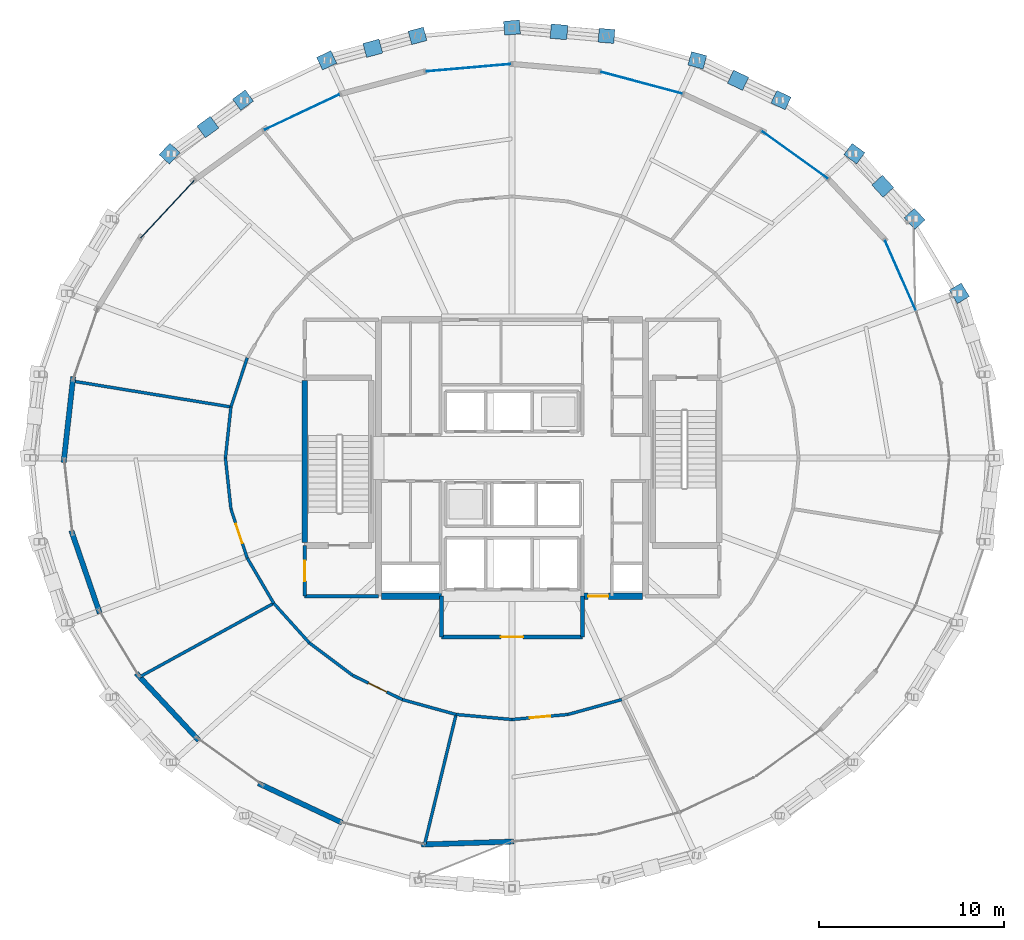
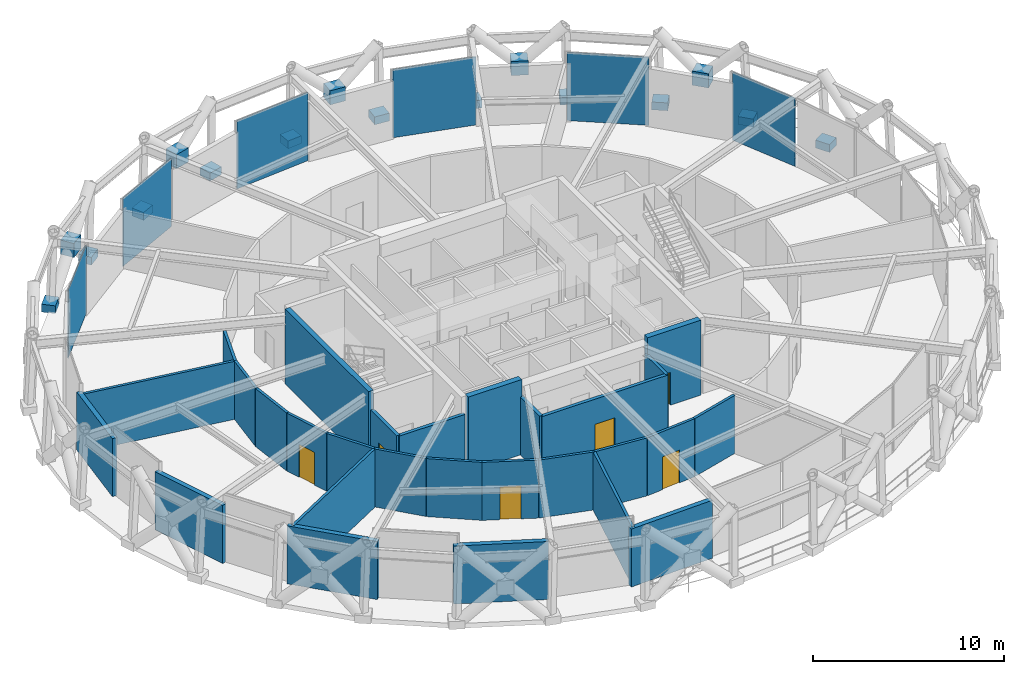
# One storey, part 24 of 29: 28 walls, 22 plates, 6 doors, 6 openings, 6 elements without a shape of their own.
"""IFC4 building model written with IfcOpenShell, lengths in metres."""

from ifc_helpers import new_model, si_unit, direction, frame, frame_2d, origin, origin_2d, place, context, subcontext, project, spatial, rectangle, extrude, material, layer, layer_set, type_object, element, fill, aggregate, save


model = new_model("IFC4")

# Units and contexts
model_context = context("Model", 3, precision=1e-05, world=origin(), true_north=direction((0.0, 1.0)))
body_context = subcontext(model_context, "Body", "Model", "MODEL_VIEW")
ifc_project = project(units=[si_unit("LENGTHUNIT", "METRE"), si_unit("AREAUNIT", "SQUARE_METRE"), si_unit("VOLUMEUNIT", "CUBIC_METRE"), si_unit("PLANEANGLEUNIT", "RADIAN"), si_unit("MASSUNIT", "GRAM", prefix="KILO")], contexts=[model_context])

# Site, building, storey
site_placement = place(None, origin())
site = spatial("IfcSite", under=ifc_project, at=site_placement, CompositionType="ELEMENT")
building_placement = place(site_placement, origin())
building = spatial("IfcBuilding", under=site, at=building_placement, Name="Veldorina Hangang Commons", CompositionType="ELEMENT")
storey_placement = place(building_placement, frame((0.0, 0.0, 203.60009765625)))
storey = spatial("IfcBuildingStorey", under=building, at=storey_placement, Name="L53", CompositionType="ELEMENT", Elevation=203.60009765625)

# Curtain wall, plate
ifc_material_1 = material(Name="Glass Acoustic Laminated", Category="glass")
ifc_layer_1 = layer(ifc_material_1, 0.179931640625)
ifc_layer_set_1 = layer_set([ifc_layer_1], Name="Glass Acoustic Laminated")
curtain_wall_type = type_object("IfcCurtainWallType", Name="CW-SYS-SKY", PredefinedType="NOTDEFINED", material=ifc_layer_set_1)
curtain_wall_1_placement = place(storey_placement, origin())
curtain_wall_1 = element("IfcCurtainWall", 1, at=curtain_wall_1_placement, inside=storey, type_object=curtain_wall_type, Name="L53 unitised curtain wall CW-L53-R1", PredefinedType="NOTDEFINED")
ifc_material_2 = material(Name="Glass Low-E Triple IGU", Category="glass")
ifc_layer_2 = layer(ifc_material_2, 0.0400390625)
ifc_layer_set_2 = layer_set([ifc_layer_2], Name="Glass Low-E Triple IGU")
plate_type_1 = type_object("IfcPlateType", Name="CW-PNL-VIS", PredefinedType="CURTAIN_PANEL", material=ifc_layer_set_2)
plate_1_placement = place(storey_placement, frame((47.244384765625, 40.342041015625, 0.014892578125), z_axis=(0.0, 0.0, 1.0), x_axis=(-0.810767641427, 0.58536811633, 0.0)))
plate_1 = element("IfcPlate", 2, at=plate_1_placement, type_object=plate_type_1, Name="CW-L53-R1 facet 1 glazed vision panel", PredefinedType="CURTAIN_PANEL", context=body_context, shape_type="SweptSolid", body=[
    extrude(rectangle(XDim=4.3330078125, YDim=0.0400390625, at=origin_2d()), origin(), (0.0, 0.0, 1.0), 4.3701171875),
])
aggregate(curtain_wall_1, [plate_1])

curtain_wall_2_placement = place(storey_placement, origin())
curtain_wall_2 = element("IfcCurtainWall", 3, at=curtain_wall_2_placement, inside=storey, type_object=curtain_wall_type, Name="L53 unitised curtain wall CW-L53-R2", PredefinedType="NOTDEFINED")
plate_2_placement = place(storey_placement, frame((38.9755859375, 44.23046875, 0.014892578125), z_axis=(0.0, 0.0, 1.0), x_axis=(-0.966187331518, 0.257841114671, 0.0)))
plate_2 = element("IfcPlate", 4, at=plate_2_placement, type_object=plate_type_1, Name="CW-L53-R2 facet 1 glazed vision panel", PredefinedType="CURTAIN_PANEL", context=body_context, shape_type="SweptSolid", body=[
    extrude(rectangle(XDim=4.508056640625, YDim=0.0400390625, at=origin_2d()), origin(), (0.0, 0.0, 1.0), 4.3701171875),
])
aggregate(curtain_wall_2, [plate_2])

curtain_wall_3_placement = place(storey_placement, origin())
curtain_wall_3 = element("IfcCurtainWall", 5, at=curtain_wall_3_placement, inside=storey, type_object=curtain_wall_type, Name="L53 unitised curtain wall CW-L53-R3", PredefinedType="NOTDEFINED")
plate_3_placement = place(storey_placement, frame((29.64453125, 45.038818359375, 0.014892578125), z_axis=(0.0, 0.0, 1.0), x_axis=(-0.996265857184, -0.086338530275, 0.0)))
plate_3 = element("IfcPlate", 6, at=plate_3_placement, type_object=plate_type_1, Name="CW-L53-R3 facet 1 glazed vision panel", PredefinedType="CURTAIN_PANEL", context=body_context, shape_type="SweptSolid", body=[
    extrude(rectangle(XDim=4.54833984375, YDim=0.0400390625, at=origin_2d()), origin(), (0.0, 0.0, 1.0), 4.3701171875),
])
aggregate(curtain_wall_3, [plate_3])

curtain_wall_4_placement = place(storey_placement, origin())
curtain_wall_4 = element("IfcCurtainWall", 7, at=curtain_wall_4_placement, inside=storey, type_object=curtain_wall_type, Name="L53 unitised curtain wall CW-L53-R4", PredefinedType="NOTDEFINED")
plate_4_placement = place(storey_placement, frame((20.67236328125, 42.644287109375, 0.014892578125), z_axis=(0.0, 0.0, 1.0), x_axis=(-0.904938490215, -0.425542393808, 0.0)))
plate_4 = element("IfcPlate", 8, at=plate_4_placement, type_object=plate_type_1, Name="CW-L53-R4 facet 1 glazed vision panel", PredefinedType="CURTAIN_PANEL", context=body_context, shape_type="SweptSolid", body=[
    extrude(rectangle(XDim=4.43310546875, YDim=0.0400390625, at=origin_2d()), origin(), (0.0, 0.0, 1.0), 4.3701171875),
])
aggregate(curtain_wall_4, [plate_4])

curtain_wall_5_placement = place(storey_placement, origin())
curtain_wall_5 = element("IfcCurtainWall", 9, at=curtain_wall_5_placement, inside=storey, type_object=curtain_wall_type, Name="L53 unitised curtain wall CW-L53-R5", PredefinedType="NOTDEFINED")
plate_5_placement = place(storey_placement, frame((13.4248046875, 37.41162109375, 0.014892578125), z_axis=(0.0, 0.0, 1.0), x_axis=(-0.682113232419, -0.731246564545, 0.0)))
plate_5 = element("IfcPlate", 10, at=plate_5_placement, type_object=plate_type_1, Name="CW-L53-R5 facet 1 glazed vision panel", PredefinedType="CURTAIN_PANEL", context=body_context, shape_type="SweptSolid", body=[
    extrude(rectangle(XDim=4.22216796875, YDim=0.0400390625, at=origin_2d()), origin(), (0.0, 0.0, 1.0), 4.3701171875),
])
aggregate(curtain_wall_5, [plate_5])

curtain_wall_6_placement = place(storey_placement, origin())
curtain_wall_6 = element("IfcCurtainWall", 11, at=curtain_wall_6_placement, inside=storey, type_object=curtain_wall_type, Name="L53 unitised curtain wall CW-L53-R12", PredefinedType="NOTDEFINED")
plate_6_placement = place(storey_placement, frame((52.93359375, 33.8583984375, 0.014892578125), z_axis=(0.0, 0.0, 1.0), x_axis=(-0.403465449522, 0.914994880336, 0.0)))
plate_6 = element("IfcPlate", 12, at=plate_6_placement, type_object=plate_type_1, Name="CW-L53-R12 facet 6 glazed vision panel", PredefinedType="CURTAIN_PANEL", context=body_context, shape_type="SweptSolid", body=[
    extrude(rectangle(XDim=4.068115234375, YDim=0.0400390625, at=origin_2d()), origin(), (0.0, 0.0, 1.0), 4.3701171875),
])
aggregate(curtain_wall_6, [plate_6])

# Plates
ifc_material_3 = material(Name="Steel SM460-TMC", Category="steel")
ifc_layer_3 = layer(ifc_material_3, 0.035888671875)
ifc_layer_set_3 = layer_set([ifc_layer_3], Name="Steel SM460-TMC")
plate_type_2 = type_object("IfcPlateType", Name="PL-STAR-36", PredefinedType="USERDEFINED", material=ifc_layer_set_3)
for number, where, z_axis, x_axis, name in (
    (13, (56.118896484375, 32.87939453125, -0.090087890625), (0.0, 0.0, 1.0), (-0.515382122411, 0.85696048211, 0.0), "L53 diagrid star-node gusset plate 02"),
    (14, (53.706298828125, 36.890869140625, -0.090087890625), (0.0, 0.0, 1.0), (-0.678390516628, 0.734701508743, 0.0), "L53 diagrid star-node gusset plate 03"),
):
    element("IfcPlate", number, at=place(storey_placement, frame(where, z_axis=z_axis, x_axis=x_axis)), inside=storey, type_object=plate_type_2, Name=name, ObjectType="GUSSET PLATE", PredefinedType="USERDEFINED", context=body_context, shape_type="SweptSolid", body=[
        extrude(rectangle(XDim=0.85009765625, YDim=0.75, at=origin_2d()), origin(), (0.0, 0.0, 1.0), 0.5),
    ])
plate_7_placement = place(storey_placement, frame((51.988037109375, 38.64892578125, 1.955810546875), z_axis=(0.0, 0.0, 1.0), x_axis=(-0.678390516628, 0.734701508743, 0.0)))
element("IfcPlate", 15, at=plate_7_placement, inside=storey, type_object=plate_type_2, Name="L53 diagrid X-crossing star-node gusset plate 03", ObjectType="GUSSET PLATE", PredefinedType="USERDEFINED", context=body_context, shape_type="SweptSolid", body=[
    extrude(rectangle(XDim=0.89990234375, YDim=0.780029296875, at=origin_2d()), origin(), (0.0, 0.0, 1.0), 0.89990234375),
])
for number, where, z_axis, x_axis, name in (
    (16, (50.459716796875, 40.406982421875, -0.090087890625), (0.0, 0.0, 1.0), (-0.807907608691, 0.58930916828, 0.0), "L53 diagrid star-node gusset plate 04"),
    (17, (46.50390625, 43.29248046875, -0.090087890625), (0.0, 0.0, 1.0), (-0.903252926582, 0.429108553423, 0.0), "L53 diagrid star-node gusset plate 05"),
):
    element("IfcPlate", number, at=place(storey_placement, frame(where, z_axis=z_axis, x_axis=x_axis)), inside=storey, type_object=plate_type_2, Name=name, ObjectType="GUSSET PLATE", PredefinedType="USERDEFINED", context=body_context, shape_type="SweptSolid", body=[
        extrude(rectangle(XDim=0.85009765625, YDim=0.75, at=origin_2d()), origin(), (0.0, 0.0, 1.0), 0.5),
    ])
plate_8_placement = place(storey_placement, frame((44.1884765625, 44.363525390625, 1.959716796875), z_axis=(0.0, 0.0, 1.0), x_axis=(-0.903252926582, 0.429108553423, 0.0)))
element("IfcPlate", 18, at=plate_8_placement, inside=storey, type_object=plate_type_2, Name="L53 diagrid X-crossing star-node gusset plate 05", ObjectType="GUSSET PLATE", PredefinedType="USERDEFINED", context=body_context, shape_type="SweptSolid", body=[
    extrude(rectangle(XDim=0.89990234375, YDim=0.780029296875, at=origin_2d()), origin(), (0.0, 0.0, 1.0), 0.89990234375),
])
for number, where, z_axis, x_axis, name in (
    (19, (41.990478515625, 45.436767578125, -0.090087890625), (0.0, 0.0, 1.0), (-0.965522626361, 0.260319146404, 0.0), "L53 diagrid star-node gusset plate 06"),
    (20, (37.093017578125, 46.757080078125, -0.090087890625), (0.0, 0.0, 1.0), (-0.996191655175, 0.087190516449, 0.0), "L53 diagrid star-node gusset plate 07"),
):
    element("IfcPlate", number, at=place(storey_placement, frame(where, z_axis=z_axis, x_axis=x_axis)), inside=storey, type_object=plate_type_2, Name=name, ObjectType="GUSSET PLATE", PredefinedType="USERDEFINED", context=body_context, shape_type="SweptSolid", body=[
        extrude(rectangle(XDim=0.85009765625, YDim=0.75, at=origin_2d()), origin(), (0.0, 0.0, 1.0), 0.5),
    ])
plate_9_placement = place(storey_placement, frame((34.533935546875, 46.97509765625, 1.961669921875), z_axis=(0.0, 0.0, 1.0), x_axis=(-0.996191655175, 0.087190516449, 0.0)))
element("IfcPlate", 21, at=plate_9_placement, inside=storey, type_object=plate_type_2, Name="L53 diagrid X-crossing star-node gusset plate 07", ObjectType="GUSSET PLATE", PredefinedType="USERDEFINED", context=body_context, shape_type="SweptSolid", body=[
    extrude(rectangle(XDim=0.89990234375, YDim=0.780029296875, at=origin_2d()), origin(), (0.0, 0.0, 1.0), 0.89990234375),
])
for number, where, z_axis, x_axis, name in (
    (22, (32.0, 47.202880859375, -0.090087890625), (0.0, 0.0, 1.0), (-0.996191655175, -0.087190516449, 0.0), "L53 diagrid star-node gusset plate 08"),
    (23, (26.906982421875, 46.757080078125, -0.090087890625), (0.0, 0.0, 1.0), (-0.965522626361, -0.260319146404, 0.0), "L53 diagrid star-node gusset plate 09"),
):
    element("IfcPlate", number, at=place(storey_placement, frame(where, z_axis=z_axis, x_axis=x_axis)), inside=storey, type_object=plate_type_2, Name=name, ObjectType="GUSSET PLATE", PredefinedType="USERDEFINED", context=body_context, shape_type="SweptSolid", body=[
        extrude(rectangle(XDim=0.85009765625, YDim=0.75, at=origin_2d()), origin(), (0.0, 0.0, 1.0), 0.5),
    ])
plate_10_placement = place(storey_placement, frame((24.496337890625, 46.08837890625, 1.9609375), z_axis=(0.0, 0.0, 1.0), x_axis=(-0.965522626361, -0.260319146404, 0.0)))
element("IfcPlate", 24, at=plate_10_placement, inside=storey, type_object=plate_type_2, Name="L53 diagrid X-crossing star-node gusset plate 09", ObjectType="GUSSET PLATE", PredefinedType="USERDEFINED", context=body_context, shape_type="SweptSolid", body=[
    extrude(rectangle(XDim=0.89990234375, YDim=0.780029296875, at=origin_2d()), origin(), (0.0, 0.0, 1.0), 0.89990234375),
])
for number, where, z_axis, x_axis, name in (
    (25, (22.009521484375, 45.436767578125, -0.090087890625), (0.0, 0.0, 1.0), (-0.903252926582, -0.429108553423, 0.0), "L53 diagrid star-node gusset plate 10"),
    (26, (17.49609375, 43.29248046875, -0.090087890625), (0.0, 0.0, 1.0), (-0.807907608691, -0.58930916828, 0.0), "L53 diagrid star-node gusset plate 11"),
):
    element("IfcPlate", number, at=place(storey_placement, frame(where, z_axis=z_axis, x_axis=x_axis)), inside=storey, type_object=plate_type_2, Name=name, ObjectType="GUSSET PLATE", PredefinedType="USERDEFINED", context=body_context, shape_type="SweptSolid", body=[
        extrude(rectangle(XDim=0.85009765625, YDim=0.75, at=origin_2d()), origin(), (0.0, 0.0, 1.0), 0.5),
    ])
plate_11_placement = place(storey_placement, frame((15.602783203125, 41.8408203125, 1.957763671875), z_axis=(0.0, 0.0, 1.0), x_axis=(-0.807907608691, -0.58930916828, 0.0)))
element("IfcPlate", 27, at=plate_11_placement, inside=storey, type_object=plate_type_2, Name="L53 diagrid X-crossing star-node gusset plate 11", ObjectType="GUSSET PLATE", PredefinedType="USERDEFINED", context=body_context, shape_type="SweptSolid", body=[
    extrude(rectangle(XDim=0.89990234375, YDim=0.780029296875, at=origin_2d()), origin(), (0.0, 0.0, 1.0), 0.89990234375),
])
plate_12_placement = place(storey_placement, frame((13.540283203125, 40.406982421875, -0.090087890625), z_axis=(0.0, 0.0, 1.0), x_axis=(-0.678390516628, -0.734701508743, 0.0)))
element("IfcPlate", 28, at=plate_12_placement, inside=storey, type_object=plate_type_2, Name="L53 diagrid star-node gusset plate 12", ObjectType="GUSSET PLATE", PredefinedType="USERDEFINED", context=body_context, shape_type="SweptSolid", body=[
    extrude(rectangle(XDim=0.85009765625, YDim=0.75, at=origin_2d()), origin(), (0.0, 0.0, 1.0), 0.5),
])

# Wall
ifc_material_4 = material(Name="Concrete C60/75", Category="concrete")
ifc_layer_4 = layer(ifc_material_4, 0.340087890625)
ifc_layer_set_4 = layer_set([ifc_layer_4], Name="Concrete C60/75")
wall_type_1 = type_object("IfcWallType", Name="CW-RC340-C60", PredefinedType="SHEAR", material=ifc_layer_set_4)
wall_1_placement = place(storey_placement, frame((24.969970703125, 16.550048828125, 0.0), z_axis=(0.0, 0.0, 1.0), x_axis=(1.0, 0.0, 0.0)))
element("IfcWall", 29, at=wall_1_placement, inside=storey, type_object=wall_type_1, Name="L53 south-west core shear wall", PredefinedType="SHEAR", context=body_context, shape_type="SweptSolid", body=[
    extrude(rectangle(XDim=3.22998046875, YDim=0.340087890625, at=frame_2d((1.614990234375, 0.0))), origin(), (0.0, 0.0, 1.0), 4.7998046875),
])

# Wall, opening, door
wall_2_placement = place(storey_placement, frame((35.800048828125, 16.550048828125, 0.0), z_axis=(0.0, 0.0, 1.0), x_axis=(1.0, 0.0, 0.0)))
wall_2 = element("IfcWall", 30, at=wall_2_placement, inside=storey, type_object=wall_type_1, Name="L53 south-east core shear wall", PredefinedType="SHEAR", context=body_context, shape_type="SweptSolid", body=[
    extrude(rectangle(XDim=3.22998046875, YDim=0.340087890625, at=frame_2d((1.614990234375, 0.0))), origin(), (0.0, 0.0, 1.0), 4.7998046875),
])
opening_1_placement = place(wall_2_placement, frame((0.300048828125, 0.0, 0.0)))
opening_1 = element("IfcOpeningElement", 31, at=opening_1_placement, cuts=wall_2, Name="Opening D-08", PredefinedType="OPENING", context=body_context, shape_type="SweptSolid", body=[
    extrude(rectangle(XDim=1.10009765625, YDim=2.10009765625, at=frame_2d((0.550048828125, 1.050048828125))), frame((0.0, 0.18017578125, 0.0), z_axis=(0.0, -1.0, 0.0), x_axis=(1.0, 0.0, 0.0)), (0.0, 0.0, 1.0), 0.360107421875),
])
ifc_material_5 = material(Name="Steel Fire-Rated Smoke Seal", Category="steel")
door_type_1 = type_object("IfcDoorType", Name="DR-FIRE-1100", OperationType="SINGLE_SWING_RIGHT", PredefinedType="DOOR", material=ifc_material_5)
door_1_placement = place(opening_1_placement, origin())
door_1 = element("IfcDoor", 32, at=door_1_placement, inside=storey, type_object=door_type_1, Name="L53 central lift lobby south corridor door", OperationType="SINGLE_SWING_RIGHT", OverallHeight=2.10009765625, OverallWidth=1.10009765625, PredefinedType="DOOR", context=body_context, shape_type="SweptSolid", body=[
    extrude(rectangle(XDim=1.10009765625, YDim=2.10009765625, at=frame_2d((0.550048828125, 1.050048828125))), frame((0.0, 0.02490234375, 0.0), z_axis=(0.0, -1.0, 0.0), x_axis=(1.0, 0.0, 0.0)), (0.0, 0.0, 1.0), 0.050048828125),
])
fill(opening_1, door_1)

# Walls
ifc_material_6 = material(Name="Stone Roman Travertine", Category="masonry")
ifc_layer_5 = layer(ifc_material_6, 0.280029296875)
ifc_layer_set_5 = layer_set([ifc_layer_5], Name="Stone Roman Travertine")
wall_type_2 = type_object("IfcWallType", Name="EW-TRAV-280", PredefinedType="STANDARD", material=ifc_layer_set_5)
wall_3_placement = place(storey_placement, frame((8.34521484375, 28.388916015625, 0.0), z_axis=(0.0, 0.0, 1.0), x_axis=(-0.111236598317, -0.993793952082, 0.0)))
element("IfcWall", 33, at=wall_3_placement, inside=storey, type_object=wall_type_2, Name="L53 travertine facade wall 15", PredefinedType="STANDARD", context=body_context, shape_type="SweptSolid", body=[
    extrude(rectangle(XDim=4.659423828125, YDim=0.280029296875, at=frame_2d((2.32958984375, 0.0))), origin(), (0.0, 0.0, 1.0), 3.7099609375),
])
wall_4_placement = place(storey_placement, frame((8.23779296875, 20.08837890625, 0.0), z_axis=(0.0, 0.0, 1.0), x_axis=(0.325950789295, -0.945386737244, 0.0)))
element("IfcWall", 34, at=wall_4_placement, inside=storey, type_object=wall_type_2, Name="L53 travertine facade wall 17", PredefinedType="STANDARD", context=body_context, shape_type="SweptSolid", body=[
    extrude(rectangle(XDim=4.715087890625, YDim=0.280029296875, at=frame_2d((2.357421875, 0.0))), origin(), (0.0, 0.0, 1.0), 3.7099609375),
])
wall_5_placement = place(storey_placement, frame((11.7421875, 12.39208984375, 0.0), z_axis=(0.0, 0.0, 1.0), x_axis=(0.682128325962, -0.731232484864, 0.0)))
element("IfcWall", 35, at=wall_5_placement, inside=storey, type_object=wall_type_2, Name="L53 travertine facade wall 19", PredefinedType="STANDARD", context=body_context, shape_type="SweptSolid", body=[
    extrude(rectangle(XDim=4.947021484375, YDim=0.280029296875, at=frame_2d((2.4736328125, 0.0))), origin(), (0.0, 0.0, 1.0), 3.7099609375),
])
wall_6_placement = place(storey_placement, frame((18.31982421875, 6.4619140625, 0.0), z_axis=(0.0, 0.0, 1.0), x_axis=(0.904923833453, -0.425573560796, 0.0)))
element("IfcWall", 36, at=wall_6_placement, inside=storey, type_object=wall_type_2, Name="L53 travertine facade wall 21", PredefinedType="STANDARD", context=body_context, shape_type="SweptSolid", body=[
    extrude(rectangle(XDim=4.99853515625, YDim=0.280029296875, at=frame_2d((2.499267578125, 0.0))), origin(), (0.0, 0.0, 1.0), 3.7099609375),
])
wall_7_placement = place(storey_placement, frame((27.10546875, 3.1591796875, 0.0), z_axis=(0.0, 0.0, 1.0), x_axis=(0.999479910851, 0.03224760153, 0.0)))
element("IfcWall", 37, at=wall_7_placement, inside=storey, type_object=wall_type_2, Name="L53 travertine facade wall 23", PredefinedType="STANDARD", context=body_context, shape_type="SweptSolid", body=[
    extrude(rectangle(XDim=4.9892578125, YDim=0.280029296875, at=frame_2d((2.49462890625, 0.0))), origin(), (0.0, 0.0, 1.0), 3.7099609375),
])
ifc_material_7 = material(Name="Concrete C50/60", Category="concrete")
ifc_layer_6 = layer(ifc_material_7, 0.300048828125)
ifc_layer_set_6 = layer_set([ifc_layer_6], Name="Concrete C50/60")
wall_type_3 = type_object("IfcWallType", Name="SW-STAIR-300", PredefinedType="SHEAR", material=ifc_layer_set_6)
wall_8_placement = place(storey_placement, frame((20.820068359375, 19.429931640625, 0.0), z_axis=(0.0, 0.0, 1.0), x_axis=(0.0, 1.0, 0.0)))
element("IfcWall", 38, at=wall_8_placement, inside=storey, type_object=wall_type_3, Name="L53 ST1 outer stair shear wall", PredefinedType="SHEAR", context=body_context, shape_type="SweptSolid", body=[
    extrude(rectangle(XDim=8.739990234375, YDim=0.300048828125, at=frame_2d((4.3701171875, 0.0))), origin(), (0.0, 0.0, 1.0), 4.7998046875),
])
ifc_material_8 = material(Name="Gypsum Fire-Rated Twin Stud Wall", Category="gypsum")
ifc_layer_7 = layer(ifc_material_8, 0.159912109375)
ifc_layer_set_7 = layer_set([ifc_layer_7], Name="Gypsum Fire-Rated Twin Stud Wall")
wall_type_4 = type_object("IfcWallType", Name="WL-FIRE-160", PredefinedType="SOLIDWALL", material=ifc_layer_set_7)
wall_9_placement = place(storey_placement, frame((17.72607421875, 29.395751953125, 0.0), z_axis=(0.0, 0.0, 1.0), x_axis=(-0.315413058649, -0.948954478589, 0.0)))
element("IfcWall", 39, at=wall_9_placement, inside=storey, type_object=wall_type_4, Name="L53 Sky gallery wall 14 067", PredefinedType="SOLIDWALL", context=body_context, shape_type="SweptSolid", body=[
    extrude(rectangle(XDim=2.787353515625, YDim=0.159912109375, at=frame_2d((1.3935546875, 0.0))), origin(), (0.0, 0.0, 1.0), 3.7099609375),
])
for number, where, z_axis, x_axis, name in (
    (40, (16.846923828125, 26.750732421875, 0.0), (0.0, 0.0, 1.0), (-0.107302680622, -0.994226400138, 0.0), "L53 Sky gallery wall 15 068"),
    (41, (16.550048828125, 24.0, 0.0), (0.0, 0.0, 1.0), (0.107302680622, -0.994226400138, 0.0), "L53 Sky gallery wall 16 069"),
):
    element("IfcWall", number, at=place(storey_placement, frame(where, z_axis=z_axis, x_axis=x_axis)), inside=storey, type_object=wall_type_4, Name=name, PredefinedType="SOLIDWALL", context=body_context, shape_type="SweptSolid", body=[
        extrude(rectangle(XDim=2.7666015625, YDim=0.159912109375, at=frame_2d((1.38330078125, 0.0))), origin(), (0.0, 0.0, 1.0), 3.7099609375),
    ])

# Wall, opening, door
wall_10_placement = place(storey_placement, frame((16.846923828125, 21.249267578125, 0.0), z_axis=(0.0, 0.0, 1.0), x_axis=(0.315413058649, -0.948954478589, 0.0)))
wall_10 = element("IfcWall", 42, at=wall_10_placement, inside=storey, type_object=wall_type_4, Name="L53 Sky gallery wall 17 070", PredefinedType="SOLIDWALL", context=body_context, shape_type="SweptSolid", body=[
    extrude(rectangle(XDim=2.787353515625, YDim=0.159912109375, at=frame_2d((1.3935546875, 0.0))), origin(), (0.0, 0.0, 1.0), 3.7099609375),
])
opening_2_placement = place(wall_10_placement, frame((0.84375, 0.0, 0.0)))
opening_2 = element("IfcOpeningElement", 43, at=opening_2_placement, cuts=wall_10, Name="Opening D-08", PredefinedType="OPENING", context=body_context, shape_type="SweptSolid", body=[
    extrude(rectangle(XDim=1.10009765625, YDim=2.10009765625, at=frame_2d((0.550048828125, 1.050048828125))), frame((0.0, 0.08984375, 0.0), z_axis=(0.0, -1.0, 0.0), x_axis=(1.0, 0.0, 0.0)), (0.0, 0.0, 1.0), 0.179931640625),
])
door_2_placement = place(opening_2_placement, origin())
door_2 = element("IfcDoor", 44, at=door_2_placement, inside=storey, type_object=door_type_1, Name="L53 Music and Media Practice Studio entrance door 030", OperationType="SINGLE_SWING_RIGHT", OverallHeight=2.10009765625, OverallWidth=1.10009765625, PredefinedType="DOOR", context=body_context, shape_type="SweptSolid", body=[
    extrude(rectangle(XDim=1.10009765625, YDim=2.10009765625, at=frame_2d((0.550048828125, 1.050048828125))), frame((0.0, 0.02490234375, 0.0), z_axis=(0.0, -1.0, 0.0), x_axis=(1.0, 0.0, 0.0)), (0.0, 0.0, 1.0), 0.050048828125),
])
fill(opening_2, door_2)

# Walls
wall_11_placement = place(storey_placement, frame((17.72607421875, 18.604248046875, 0.0), z_axis=(0.0, 0.0, 1.0), x_axis=(0.505380130961, -0.862896820732, 0.0)))
element("IfcWall", 45, at=wall_11_placement, inside=storey, type_object=wall_type_4, Name="L53 Sky gallery wall 18 071", PredefinedType="SOLIDWALL", context=body_context, shape_type="SweptSolid", body=[
    extrude(rectangle(XDim=2.824951171875, YDim=0.159912109375, at=frame_2d((1.41259765625, 0.0))), origin(), (0.0, 0.0, 1.0), 3.7099609375),
])
wall_12_placement = place(storey_placement, frame((19.15380859375, 16.16650390625, 0.0), z_axis=(0.0, 0.0, 1.0), x_axis=(0.668645478294, -0.743581350194, 0.0)))
element("IfcWall", 46, at=wall_12_placement, inside=storey, type_object=wall_type_4, Name="L53 Sky gallery wall 19 072", PredefinedType="SOLIDWALL", context=body_context, shape_type="SweptSolid", body=[
    extrude(rectangle(XDim=2.87353515625, YDim=0.159912109375, at=frame_2d((1.436767578125, 0.0))), origin(), (0.0, 0.0, 1.0), 3.7099609375),
])
wall_13_placement = place(storey_placement, frame((21.0751953125, 14.02978515625, 0.0), z_axis=(0.0, 0.0, 1.0), x_axis=(0.800420462314, -0.599438973966, 0.0)))
element("IfcWall", 47, at=wall_13_placement, inside=storey, type_object=wall_type_4, Name="L53 Sky gallery wall 20 073", PredefinedType="SOLIDWALL", context=body_context, shape_type="SweptSolid", body=[
    extrude(rectangle(XDim=2.925048828125, YDim=0.159912109375, at=frame_2d((1.46240234375, 0.0))), origin(), (0.0, 0.0, 1.0), 3.7099609375),
])

# Wall, opening, door
wall_14_placement = place(storey_placement, frame((23.41650390625, 12.2763671875, 0.0), z_axis=(0.0, 0.0, 1.0), x_axis=(0.898755022802, -0.438451147778, 0.0)))
wall_14 = element("IfcWall", 48, at=wall_14_placement, inside=storey, type_object=wall_type_4, Name="L53 Sky gallery wall 21 074", PredefinedType="SOLIDWALL", context=body_context, shape_type="SweptSolid", body=[
    extrude(rectangle(XDim=2.9716796875, YDim=0.159912109375, at=frame_2d((1.48583984375, 0.0))), origin(), (0.0, 0.0, 1.0), 3.7099609375),
])
opening_3_placement = place(wall_14_placement, frame((0.93603515625, 0.0, 0.0)))
opening_3 = element("IfcOpeningElement", 49, at=opening_3_placement, cuts=wall_14, Name="Opening D-08", PredefinedType="OPENING", context=body_context, shape_type="SweptSolid", body=[
    extrude(rectangle(XDim=1.10009765625, YDim=2.10009765625, at=frame_2d((0.550048828125, 1.050048828125))), frame((0.0, 0.08984375, 0.0), z_axis=(0.0, -1.0, 0.0), x_axis=(1.0, 0.0, 0.0)), (0.0, 0.0, 1.0), 0.179931640625),
])
door_3_placement = place(opening_3_placement, origin())
door_3 = element("IfcDoor", 50, at=door_3_placement, inside=storey, type_object=door_type_1, Name="L53 Co-Working Innovation Workspace entrance door 031", OperationType="SINGLE_SWING_LEFT", OverallHeight=2.10009765625, OverallWidth=1.10009765625, PredefinedType="DOOR", context=body_context, shape_type="SweptSolid", body=[
    extrude(rectangle(XDim=1.10009765625, YDim=2.10009765625, at=frame_2d((0.550048828125, 1.050048828125))), frame((0.0, 0.02490234375, 0.0), z_axis=(0.0, -1.0, 0.0), x_axis=(1.0, 0.0, 0.0)), (0.0, 0.0, 1.0), 0.050048828125),
])
fill(opening_3, door_3)

# Walls
wall_15_placement = place(storey_placement, frame((26.08740234375, 10.973388671875, 0.0), z_axis=(0.0, 0.0, 1.0), x_axis=(0.963743190464, -0.26683152519, 0.0)))
element("IfcWall", 51, at=wall_15_placement, inside=storey, type_object=wall_type_4, Name="L53 Sky gallery wall 22 075", PredefinedType="SOLIDWALL", context=body_context, shape_type="SweptSolid", body=[
    extrude(rectangle(XDim=3.007568359375, YDim=0.159912109375, at=frame_2d((1.50390625, 0.0))), origin(), (0.0, 0.0, 1.0), 3.7099609375),
])
wall_16_placement = place(storey_placement, frame((28.98583984375, 10.1708984375, 0.0), z_axis=(0.0, 0.0, 1.0), x_axis=(0.995982645158, -0.089546471418, 0.0)))
element("IfcWall", 52, at=wall_16_placement, inside=storey, type_object=wall_type_4, Name="L53 Sky gallery wall 23 076", PredefinedType="SOLIDWALL", context=body_context, shape_type="SweptSolid", body=[
    extrude(rectangle(XDim=3.0263671875, YDim=0.159912109375, at=frame_2d((1.51318359375, 0.0))), origin(), (0.0, 0.0, 1.0), 3.7099609375),
])

# Wall, opening, door
wall_17_placement = place(storey_placement, frame((32.0, 9.89990234375, 0.0), z_axis=(0.0, 0.0, 1.0), x_axis=(0.995982645158, 0.089546471418, 0.0)))
wall_17 = element("IfcWall", 53, at=wall_17_placement, inside=storey, type_object=wall_type_4, Name="L53 Sky gallery wall 24 077", PredefinedType="SOLIDWALL", context=body_context, shape_type="SweptSolid", body=[
    extrude(rectangle(XDim=3.0263671875, YDim=0.159912109375, at=frame_2d((1.51318359375, 0.0))), origin(), (0.0, 0.0, 1.0), 3.7099609375),
])
opening_4_placement = place(wall_17_placement, frame((0.963134765625, 0.0, 0.0)))
opening_4 = element("IfcOpeningElement", 54, at=opening_4_placement, cuts=wall_17, Name="Opening D-08", PredefinedType="OPENING", context=body_context, shape_type="SweptSolid", body=[
    extrude(rectangle(XDim=1.10009765625, YDim=2.10009765625, at=frame_2d((0.550048828125, 1.050048828125))), frame((0.0, 0.08984375, 0.0), z_axis=(0.0, -1.0, 0.0), x_axis=(1.0, 0.0, 0.0)), (0.0, 0.0, 1.0), 0.179931640625),
])
door_4_placement = place(opening_4_placement, origin())
door_4 = element("IfcDoor", 55, at=door_4_placement, inside=storey, type_object=door_type_1, Name="L53 Sky Tea Servery Kitchen entrance door 032", OperationType="SINGLE_SWING_RIGHT", OverallHeight=2.10009765625, OverallWidth=1.10009765625, PredefinedType="DOOR", context=body_context, shape_type="SweptSolid", body=[
    extrude(rectangle(XDim=1.10009765625, YDim=2.10009765625, at=frame_2d((0.550048828125, 1.050048828125))), frame((0.0, 0.02490234375, 0.0), z_axis=(0.0, -1.0, 0.0), x_axis=(1.0, 0.0, 0.0)), (0.0, 0.0, 1.0), 0.050048828125),
])
fill(opening_4, door_4)

# Walls
wall_18_placement = place(storey_placement, frame((35.01416015625, 10.1708984375, 0.0), z_axis=(0.0, 0.0, 1.0), x_axis=(0.963743190464, 0.26683152519, 0.0)))
element("IfcWall", 56, at=wall_18_placement, inside=storey, type_object=wall_type_4, Name="L53 Sky gallery wall 25 078", PredefinedType="SOLIDWALL", context=body_context, shape_type="SweptSolid", body=[
    extrude(rectangle(XDim=3.007568359375, YDim=0.159912109375, at=frame_2d((1.50390625, 0.0))), origin(), (0.0, 0.0, 1.0), 3.7099609375),
])
wall_19_placement = place(storey_placement, frame((16.846923828125, 26.750732421875, 0.0), z_axis=(0.0, 0.0, 1.0), x_axis=(-0.986913436685, 0.161250948808, 0.0)))
element("IfcWall", 57, at=wall_19_placement, inside=storey, type_object=wall_type_4, Name="L53 Sky lobby radial wall 5 089", PredefinedType="SOLIDWALL", context=body_context, shape_type="SweptSolid", body=[
    extrude(rectangle(XDim=8.64208984375, YDim=0.159912109375, at=frame_2d((4.321044921875, 0.0))), origin(), (0.0, 0.0, 1.0), 3.7099609375),
])
wall_20_placement = place(storey_placement, frame((19.15380859375, 16.16650390625, 0.0), z_axis=(0.0, 0.0, 1.0), x_axis=(-0.876638041694, -0.481150437862, 0.0)))
element("IfcWall", 58, at=wall_20_placement, inside=storey, type_object=wall_type_4, Name="L53 Sky lobby radial wall 6 090", PredefinedType="SOLIDWALL", context=body_context, shape_type="SweptSolid", body=[
    extrude(rectangle(XDim=8.248046875, YDim=0.159912109375, at=frame_2d((4.1240234375, 0.0))), origin(), (0.0, 0.0, 1.0), 3.7099609375),
])
wall_21_placement = place(storey_placement, frame((28.98583984375, 10.1708984375, 0.0), z_axis=(0.0, 0.0, 1.0), x_axis=(-0.235364454403, -0.971907183636, 0.0)))
element("IfcWall", 59, at=wall_21_placement, inside=storey, type_object=wall_type_4, Name="L53 Sky lobby radial wall 7 091", PredefinedType="SOLIDWALL", context=body_context, shape_type="SweptSolid", body=[
    extrude(rectangle(XDim=7.2080078125, YDim=0.159912109375, at=frame_2d((3.60400390625, 0.0))), origin(), (0.0, 0.0, 1.0), 3.7099609375),
])

# Wall, opening, door
ifc_material_9 = material(Name="Concrete Blockwork Fire Wall C30/37", Category="masonry")
ifc_layer_8 = layer(ifc_material_9, 0.199951171875)
ifc_layer_set_8 = layer_set([ifc_layer_8], Name="Concrete Blockwork Fire Wall C30/37")
wall_type_5 = type_object("IfcWallType", Name="WL-FIRE-200", PredefinedType="SOLIDWALL", material=ifc_layer_set_8)
wall_22_placement = place(storey_placement, frame((20.820068359375, 16.550048828125, 0.0), z_axis=(0.0, 0.0, 1.0), x_axis=(0.0, 1.0, 0.0)))
wall_22 = element("IfcWall", 60, at=wall_22_placement, inside=storey, type_object=wall_type_5, Name="L53 West vestibule outer wall 001", PredefinedType="SOLIDWALL", context=body_context, shape_type="SweptSolid", body=[
    extrude(rectangle(XDim=2.72998046875, YDim=0.199951171875, at=frame_2d((1.364990234375, 0.0))), origin(), (0.0, 0.0, 1.0), 3.7099609375),
])
opening_5_placement = place(wall_22_placement, frame((0.81494140625, 0.0, 0.0)))
opening_5 = element("IfcOpeningElement", 61, at=opening_5_placement, cuts=wall_22, Name="Opening D-08", PredefinedType="OPENING", context=body_context, shape_type="SweptSolid", body=[
    extrude(rectangle(XDim=1.10009765625, YDim=2.10009765625, at=frame_2d((0.550048828125, 1.050048828125))), frame((0.0, 0.10986328125, 0.0), z_axis=(0.0, -1.0, 0.0), x_axis=(1.0, 0.0, 0.0)), (0.0, 0.0, 1.0), 0.219970703125),
])
door_5_placement = place(opening_5_placement, origin())
door_5 = element("IfcDoor", 62, at=door_5_placement, inside=storey, type_object=door_type_1, Name="L53 West vestibule west door 001", OperationType="SINGLE_SWING_LEFT", OverallHeight=2.10009765625, OverallWidth=1.10009765625, PredefinedType="DOOR", context=body_context, shape_type="SweptSolid", body=[
    extrude(rectangle(XDim=1.10009765625, YDim=2.10009765625, at=frame_2d((0.550048828125, 1.050048828125))), frame((0.0, 0.02490234375, 0.0), z_axis=(0.0, -1.0, 0.0), x_axis=(1.0, 0.0, 0.0)), (0.0, 0.0, 1.0), 0.050048828125),
])
fill(opening_5, door_5)

# Walls
wall_23_placement = place(storey_placement, frame((20.820068359375, 16.550048828125, 0.0), z_axis=(0.0, 0.0, 1.0), x_axis=(1.0, 0.0, 0.0)))
element("IfcWall", 63, at=wall_23_placement, inside=storey, type_object=wall_type_5, Name="L53 West vestibule south wall 002", PredefinedType="SOLIDWALL", context=body_context, shape_type="SweptSolid", body=[
    extrude(rectangle(XDim=3.97998046875, YDim=0.199951171875, at=frame_2d((1.989990234375, 0.0))), origin(), (0.0, 0.0, 1.0), 3.7099609375),
])
for number, where, z_axis, x_axis, name in (
    (64, (28.199951171875, 14.35009765625, 0.0), (0.0, 0.0, 1.0), (0.0, 1.0, 0.0), "L53 FF lobby west wall 012"),
    (65, (35.800048828125, 14.35009765625, 0.0), (0.0, 0.0, 1.0), (0.0, 1.0, 0.0), "L53 FF lobby east wall 013"),
):
    element("IfcWall", number, at=place(storey_placement, frame(where, z_axis=z_axis, x_axis=x_axis)), inside=storey, type_object=wall_type_5, Name=name, PredefinedType="SOLIDWALL", context=body_context, shape_type="SweptSolid", body=[
        extrude(rectangle(XDim=2.199951171875, YDim=0.199951171875, at=frame_2d((1.10009765625, 0.0))), origin(), (0.0, 0.0, 1.0), 3.7099609375),
    ])

# Wall, opening, door
wall_24_placement = place(storey_placement, frame((28.199951171875, 14.35009765625, 0.0), z_axis=(0.0, 0.0, 1.0), x_axis=(1.0, 0.0, 0.0)))
wall_24 = element("IfcWall", 66, at=wall_24_placement, inside=storey, type_object=wall_type_5, Name="L53 FF lobby south wall 014", PredefinedType="SOLIDWALL", context=body_context, shape_type="SweptSolid", body=[
    extrude(rectangle(XDim=7.60009765625, YDim=0.199951171875, at=frame_2d((3.800048828125, 0.0))), origin(), (0.0, 0.0, 1.0), 3.7099609375),
])
opening_6_placement = place(wall_24_placement, frame((3.199951171875, 0.0, 0.0)))
opening_6 = element("IfcOpeningElement", 67, at=opening_6_placement, cuts=wall_24, Name="Opening D-09", PredefinedType="OPENING", context=body_context, shape_type="SweptSolid", body=[
    extrude(rectangle(XDim=1.199951171875, YDim=2.10009765625, at=frame_2d((0.60009765625, 1.050048828125))), frame((0.0, 0.10986328125, 0.0), z_axis=(0.0, -1.0, 0.0), x_axis=(1.0, 0.0, 0.0)), (0.0, 0.0, 1.0), 0.219970703125),
])
ifc_material_10 = material(Name="Steel Fire-Rated Corridor Door", Category="steel")
door_type_2 = type_object("IfcDoorType", Name="DR-FIRE-1200", OperationType="SINGLE_SWING_LEFT", PredefinedType="DOOR", material=ifc_material_10)
door_6_placement = place(opening_6_placement, origin())
door_6 = element("IfcDoor", 68, at=door_6_placement, inside=storey, type_object=door_type_2, Name="L53 FF lobby south corridor door 005", OperationType="SINGLE_SWING_LEFT", OverallHeight=2.10009765625, OverallWidth=1.199951171875, PredefinedType="DOOR", context=body_context, shape_type="SweptSolid", body=[
    extrude(rectangle(XDim=1.199951171875, YDim=2.10009765625, at=frame_2d((0.60009765625, 1.050048828125))), frame((0.0, 0.02490234375, 0.0), z_axis=(0.0, -1.0, 0.0), x_axis=(1.0, 0.0, 0.0)), (0.0, 0.0, 1.0), 0.050048828125),
])
fill(opening_6, door_6)

save(model, "model.ifc")
